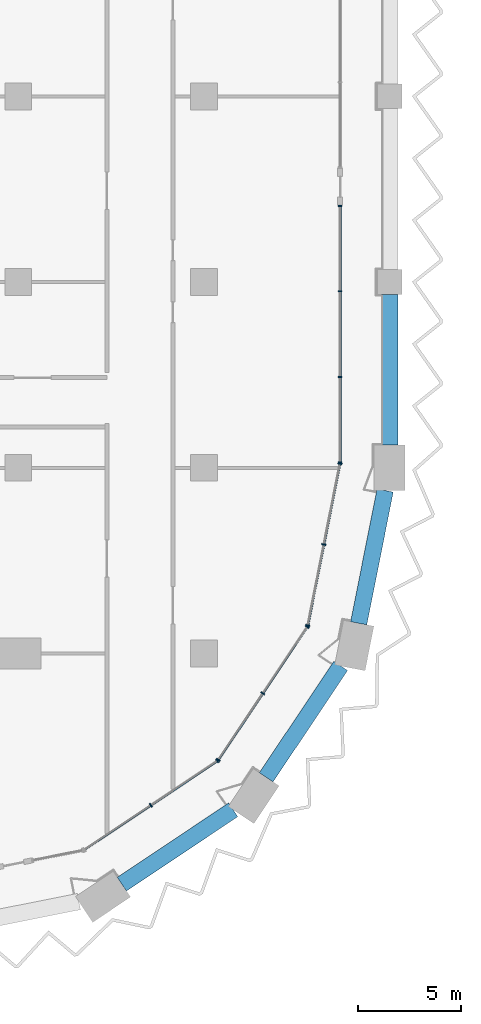
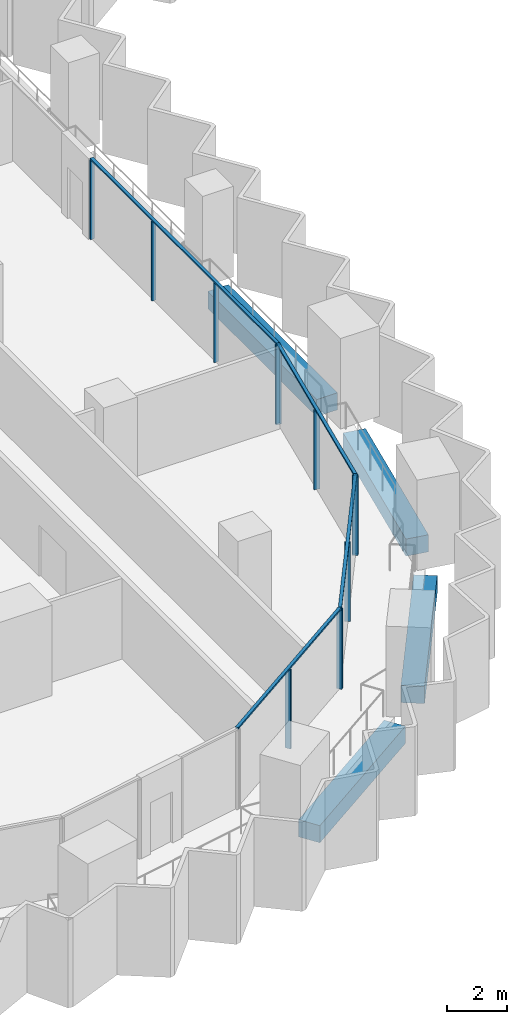
# One storey, part 3 of 23: 16 members, 4 beams, 4 elements without a shape of their own.
"""IFC4 building model written with IfcOpenShell, lengths in metres."""

from ifc_helpers import new_model, si_unit, direction, frame, origin, origin_2d, place, context, subcontext, project, spatial, rectangle, extrude, material, material_profile, profile_set, type_object, element, aggregate, save


model = new_model("IFC4")

# Units and contexts
model_context = context("Model", 3, precision=1e-05, world=origin(), true_north=direction((0.0, 1.0)))
body_context = subcontext(model_context, "Body", "Model", "MODEL_VIEW")
ifc_project = project(units=[si_unit("LENGTHUNIT", "METRE"), si_unit("AREAUNIT", "SQUARE_METRE"), si_unit("VOLUMEUNIT", "CUBIC_METRE"), si_unit("PLANEANGLEUNIT", "RADIAN"), si_unit("MASSUNIT", "GRAM", prefix="KILO")], contexts=[model_context])

# Site, building, storey
site_placement = place(None, origin())
site = spatial("IfcSite", under=ifc_project, at=site_placement, CompositionType="ELEMENT")
building_placement = place(site_placement, origin())
building = spatial("IfcBuilding", under=site, at=building_placement, Name="Hunhe Ridgeline Campus", CompositionType="ELEMENT")
storey_placement = place(building_placement, frame((0.0, 0.0, 110.699951171875)))
storey = spatial("IfcBuildingStorey", under=building, at=storey_placement, Name="L27", CompositionType="ELEMENT", Elevation=110.699951171875)

# Curtain wall, members
ifc_material_1 = material(Name="Aluminium 6063", Category="aluminium")
curtain_wall_type_1 = type_object("IfcCurtainWallType", Name="Curtain wall CW-1", PredefinedType="NOTDEFINED", material=ifc_material_1)
curtain_wall_1_placement = place(storey_placement, origin())
curtain_wall_1 = element("IfcCurtainWall", 1, at=curtain_wall_1_placement, inside=storey, type_object=curtain_wall_type_1, Name="Curtain wall 11", PredefinedType="NOTDEFINED")
ifc_material_profile_1 = material_profile(ifc_material_1, rectangle(XDim=0.159912109375, YDim=0.06005859375, at=origin_2d()))
ifc_profile_set_1 = profile_set([ifc_material_profile_1], Name="Aluminium 6063")
member_type_1 = type_object("IfcMemberType", Name="CW-1 aluminium mullion", PredefinedType="MULLION", material=ifc_profile_set_1)
member_1_placement = place(storey_placement, frame((42.59912109375, 27.266357421875, 0.0), z_axis=(0.0, 0.0, 1.0), x_axis=(-0.99999999994, 1.0975712e-05, 0.0)))
member_1 = element("IfcMember", 2, at=member_1_placement, type_object=member_type_1, Name="CW-1 mullion 1", PredefinedType="MULLION", context=body_context, shape_type="SweptSolid", body=[
    extrude(rectangle(XDim=0.159912109375, YDim=0.06005859375, at=origin_2d()), origin(), (0.0, 0.0, 1.0), 3.239990234375),
])
member_2_placement = place(storey_placement, frame((42.59912109375, 31.397216796875, 0.0), z_axis=(0.0, 0.0, 1.0), x_axis=(-0.99999999994, 1.0975712e-05, 0.0)))
member_2 = element("IfcMember", 3, at=member_2_placement, type_object=member_type_1, Name="CW-1 mullion 2", PredefinedType="MULLION", context=body_context, shape_type="SweptSolid", body=[
    extrude(rectangle(XDim=0.159912109375, YDim=0.06005859375, at=origin_2d()), origin(), (0.0, 0.0, 1.0), 3.239990234375),
])
member_3_placement = place(storey_placement, frame((42.59912109375, 35.557861328125, 0.0), z_axis=(0.0, 0.0, 1.0), x_axis=(-0.99999999994, 1.0975712e-05, 0.0)))
member_3 = element("IfcMember", 4, at=member_3_placement, type_object=member_type_1, Name="CW-1 mullion 3", PredefinedType="MULLION", context=body_context, shape_type="SweptSolid", body=[
    extrude(rectangle(XDim=0.159912109375, YDim=0.06005859375, at=origin_2d()), origin(), (0.0, 0.0, 1.0), 3.239990234375),
])
member_4_placement = place(storey_placement, frame((42.59912109375, 39.6884765625, 0.0), z_axis=(0.0, 0.0, 1.0), x_axis=(-0.99999999994, 1.0975712e-05, 0.0)))
member_4 = element("IfcMember", 5, at=member_4_placement, type_object=member_type_1, Name="CW-1 mullion 4", PredefinedType="MULLION", context=body_context, shape_type="SweptSolid", body=[
    extrude(rectangle(XDim=0.159912109375, YDim=0.06005859375, at=origin_2d()), origin(), (0.0, 0.0, 1.0), 3.239990234375),
])
ifc_material_profile_2 = material_profile(ifc_material_1, rectangle(XDim=0.1201171875, YDim=0.06005859375, at=origin_2d()))
ifc_profile_set_2 = profile_set([ifc_material_profile_2], Name="Aluminium 6063")
member_type_2 = type_object("IfcMemberType", Name="CW-1 aluminium transom", PredefinedType="USERDEFINED", material=ifc_profile_set_2)
member_5_placement = place(storey_placement, frame((42.59912109375, 27.236572265625, 3.27001953125), z_axis=(0.0, 1.0, 0.0), x_axis=(-1.0, 0.0, 0.0)))
member_5 = element("IfcMember", 6, at=member_5_placement, type_object=member_type_2, Name="CW-1 transom 1", ObjectType="TRANSOM", PredefinedType="USERDEFINED", context=body_context, shape_type="SweptSolid", body=[
    extrude(rectangle(XDim=0.1201171875, YDim=0.06005859375, at=origin_2d()), origin(), (0.0, 0.0, 1.0), 12.48193359375),
])
aggregate(curtain_wall_1, [member_5, member_1, member_2, member_3, member_4])

curtain_wall_type_2 = type_object("IfcCurtainWallType", Name="Curtain wall CW-5", PredefinedType="NOTDEFINED", material=ifc_material_1)
curtain_wall_2_placement = place(storey_placement, origin())
curtain_wall_2 = element("IfcCurtainWall", 7, at=curtain_wall_2_placement, inside=storey, type_object=curtain_wall_type_2, Name="Curtain wall 08", PredefinedType="NOTDEFINED")
ifc_material_profile_3 = material_profile(ifc_material_1, rectangle(XDim=0.199951171875, YDim=0.070068359375, at=origin_2d()))
ifc_profile_set_3 = profile_set([ifc_material_profile_3], Name="Aluminium 6063")
member_type_3 = type_object("IfcMemberType", Name="CW-5 aluminium mullion", PredefinedType="MULLION", material=ifc_profile_set_3)
member_6_placement = place(storey_placement, frame((33.42626953125, 10.647705078125, 0.0), z_axis=(0.0, 0.0, 1.0), x_axis=(-0.555570274596, 0.831469584522, 0.0)))
member_6 = element("IfcMember", 8, at=member_6_placement, type_object=member_type_3, Name="CW-5 mullion 2", PredefinedType="MULLION", context=body_context, shape_type="SweptSolid", body=[
    extrude(rectangle(XDim=0.199951171875, YDim=0.070068359375, at=origin_2d()), origin(), (0.0, 0.0, 1.0), 3.22998046875),
])
member_7_placement = place(storey_placement, frame((36.649658203125, 12.8017578125, 0.0), z_axis=(0.0, 0.0, 1.0), x_axis=(-0.555570274596, 0.831469584522, 0.0)))
member_7 = element("IfcMember", 9, at=member_7_placement, type_object=member_type_3, Name="CW-5 mullion 3", PredefinedType="MULLION", context=body_context, shape_type="SweptSolid", body=[
    extrude(rectangle(XDim=0.199951171875, YDim=0.070068359375, at=origin_2d()), origin(), (0.0, 0.0, 1.0), 3.22998046875),
])

curtain_wall_3_placement = place(storey_placement, origin())
curtain_wall_3 = element("IfcCurtainWall", 10, at=curtain_wall_3_placement, inside=storey, type_object=curtain_wall_type_2, Name="Curtain wall 09", PredefinedType="NOTDEFINED")
member_8_placement = place(storey_placement, frame((36.6982421875, 12.850341796875, 0.0), z_axis=(0.0, 0.0, 1.0), x_axis=(-0.831469584522, 0.555570274596, 0.0)))
member_8 = element("IfcMember", 11, at=member_8_placement, type_object=member_type_3, Name="CW-5 mullion 1", PredefinedType="MULLION", context=body_context, shape_type="SweptSolid", body=[
    extrude(rectangle(XDim=0.199951171875, YDim=0.070068359375, at=origin_2d()), origin(), (0.0, 0.0, 1.0), 3.22998046875),
])
member_9_placement = place(storey_placement, frame((38.852294921875, 16.07373046875, 0.0), z_axis=(0.0, 0.0, 1.0), x_axis=(-0.831469584522, 0.555570274596, 0.0)))
member_9 = element("IfcMember", 12, at=member_9_placement, type_object=member_type_3, Name="CW-5 mullion 2", PredefinedType="MULLION", context=body_context, shape_type="SweptSolid", body=[
    extrude(rectangle(XDim=0.199951171875, YDim=0.070068359375, at=origin_2d()), origin(), (0.0, 0.0, 1.0), 3.22998046875),
])
member_10_placement = place(storey_placement, frame((41.006103515625, 19.29736328125, 0.0), z_axis=(0.0, 0.0, 1.0), x_axis=(-0.831469584522, 0.555570274596, 0.0)))
member_10 = element("IfcMember", 13, at=member_10_placement, type_object=member_type_3, Name="CW-5 mullion 3", PredefinedType="MULLION", context=body_context, shape_type="SweptSolid", body=[
    extrude(rectangle(XDim=0.199951171875, YDim=0.070068359375, at=origin_2d()), origin(), (0.0, 0.0, 1.0), 3.22998046875),
])

curtain_wall_4_placement = place(storey_placement, origin())
curtain_wall_4 = element("IfcCurtainWall", 14, at=curtain_wall_4_placement, inside=storey, type_object=curtain_wall_type_2, Name="Curtain wall 10", PredefinedType="NOTDEFINED")
member_11_placement = place(storey_placement, frame((41.032470703125, 19.36083984375, 0.0), z_axis=(0.0, 0.0, 1.0), x_axis=(-0.980785284939, 0.195090299215, 0.0)))
member_11 = element("IfcMember", 15, at=member_11_placement, type_object=member_type_3, Name="CW-5 mullion 1", PredefinedType="MULLION", context=body_context, shape_type="SweptSolid", body=[
    extrude(rectangle(XDim=0.199951171875, YDim=0.070068359375, at=origin_2d()), origin(), (0.0, 0.0, 1.0), 3.22998046875),
])
member_12_placement = place(storey_placement, frame((41.812255859375, 23.281494140625, 0.0), z_axis=(0.0, 0.0, 1.0), x_axis=(-0.980785284939, 0.195090299215, 0.0)))
member_12 = element("IfcMember", 16, at=member_12_placement, type_object=member_type_3, Name="CW-5 mullion 2", PredefinedType="MULLION", context=body_context, shape_type="SweptSolid", body=[
    extrude(rectangle(XDim=0.199951171875, YDim=0.070068359375, at=origin_2d()), origin(), (0.0, 0.0, 1.0), 3.22998046875),
])
member_13_placement = place(storey_placement, frame((42.59228515625, 27.2021484375, 0.0), z_axis=(0.0, 0.0, 1.0), x_axis=(-0.980785284939, 0.195090299215, 0.0)))
member_13 = element("IfcMember", 17, at=member_13_placement, type_object=member_type_3, Name="CW-5 mullion 3", PredefinedType="MULLION", context=body_context, shape_type="SweptSolid", body=[
    extrude(rectangle(XDim=0.199951171875, YDim=0.070068359375, at=origin_2d()), origin(), (0.0, 0.0, 1.0), 3.22998046875),
])

# Member
ifc_material_profile_4 = material_profile(ifc_material_1, rectangle(XDim=0.1201171875, YDim=0.070068359375, at=origin_2d()))
ifc_profile_set_4 = profile_set([ifc_material_profile_4], Name="Aluminium 6063")
member_type_4 = type_object("IfcMemberType", Name="CW-5 aluminium transom", PredefinedType="USERDEFINED", material=ifc_profile_set_4)
member_14_placement = place(storey_placement, frame((30.173583984375, 8.474365234375, 3.26513671875), z_axis=(0.831473763475, 0.5555640203, 0.0), x_axis=(-0.5555640203, 0.831473763475, 0.0)))
member_14 = element("IfcMember", 18, at=member_14_placement, type_object=member_type_4, Name="CW-5 transom 1", ObjectType="TRANSOM", PredefinedType="USERDEFINED", context=body_context, shape_type="SweptSolid", body=[
    extrude(rectangle(XDim=0.1201171875, YDim=0.070068359375, at=origin_2d()), origin(), (0.0, 0.0, 1.0), 7.823974609375),
])

aggregate(curtain_wall_2, [member_14, member_6, member_7])

member_15_placement = place(storey_placement, frame((36.678955078125, 12.821044921875, 3.26513671875), z_axis=(0.5555640203, 0.831473763475, 0.0), x_axis=(-0.831473763475, 0.5555640203, 0.0)))
member_15 = element("IfcMember", 19, at=member_15_placement, type_object=member_type_4, Name="CW-5 transom 1", ObjectType="TRANSOM", PredefinedType="USERDEFINED", context=body_context, shape_type="SweptSolid", body=[
    extrude(rectangle(XDim=0.1201171875, YDim=0.070068359375, at=origin_2d()), origin(), (0.0, 0.0, 1.0), 7.823974609375),
])

aggregate(curtain_wall_3, [member_15, member_8, member_9, member_10])

member_16_placement = place(storey_placement, frame((41.025634765625, 19.326416015625, 3.26513671875), z_axis=(0.195097290093, 0.980783894341, 0.0), x_axis=(-0.980783894341, 0.195097290093, 0.0)))
member_16 = element("IfcMember", 20, at=member_16_placement, type_object=member_type_4, Name="CW-5 transom 1", ObjectType="TRANSOM", PredefinedType="USERDEFINED", context=body_context, shape_type="SweptSolid", body=[
    extrude(rectangle(XDim=0.1201171875, YDim=0.070068359375, at=origin_2d()), origin(), (0.0, 0.0, 1.0), 8.065185546875),
])

aggregate(curtain_wall_4, [member_16, member_11, member_12, member_13])

# Beams
ifc_material_2 = material(Name="Concrete C60", Category="concrete")
ifc_material_profile_5 = material_profile(ifc_material_2, rectangle(XDim=0.800048828125, YDim=0.699951171875, at=origin_2d()))
ifc_profile_set_5 = profile_set([ifc_material_profile_5], Name="Concrete C60")
beam_type = type_object("IfcBeamType", Name="RC spandrel beam 800x700 Concrete C60", PredefinedType="SPANDREL", material=ifc_profile_set_5)
for number, where, z_axis, x_axis, name in (
    (21, (32.02490234375, 6.82373046875, -0.599853515625), (0.831459384183, 0.555585540178, 0.0), (-0.555585540178, 0.831459384183, 0.0), "Spandrel beam B1-6 L27"),
    (22, (39.02099609375, 12.004638671875, -0.599853515625), (0.555559527577, 0.831476765351, 0.0), (-0.831476765351, 0.555559527577, 0.0), "Spandrel beam B1-7 L27"),
):
    element("IfcBeam", number, at=place(storey_placement, frame(where, z_axis=z_axis, x_axis=x_axis)), inside=storey, type_object=beam_type, Name=name, PredefinedType="SPANDREL", context=body_context, shape_type="SweptSolid", body=[
        extrude(rectangle(XDim=0.800048828125, YDim=0.699951171875, at=origin_2d()), origin(), (0.0, 0.0, 1.0), 6.488525390625),
    ])
beam_1_placement = place(storey_placement, frame((43.501953125, 19.468505859375, -0.599853515625), z_axis=(0.195092166671, 0.980784913477, 0.0), x_axis=(-0.980784913477, 0.195092166671, 0.0)))
element("IfcBeam", 23, at=beam_1_placement, inside=storey, type_object=beam_type, Name="Spandrel beam B1-8 L27", PredefinedType="SPANDREL", context=body_context, shape_type="SweptSolid", body=[
    extrude(rectangle(XDim=0.800048828125, YDim=0.699951171875, at=origin_2d()), origin(), (0.0, 0.0, 1.0), 6.557373046875),
])
beam_2_placement = place(storey_placement, frame((45.0, 28.10009765625, -0.599853515625), z_axis=(0.0, 1.0, 0.0), x_axis=(-1.0, 0.0, 0.0)))
element("IfcBeam", 24, at=beam_2_placement, inside=storey, type_object=beam_type, Name="Spandrel beam B1-9 L27", PredefinedType="SPANDREL", context=body_context, shape_type="SweptSolid", body=[
    extrude(rectangle(XDim=0.800048828125, YDim=0.699951171875, at=origin_2d()), origin(), (0.0, 0.0, 1.0), 7.2998046875),
])

save(model, "model.ifc")
